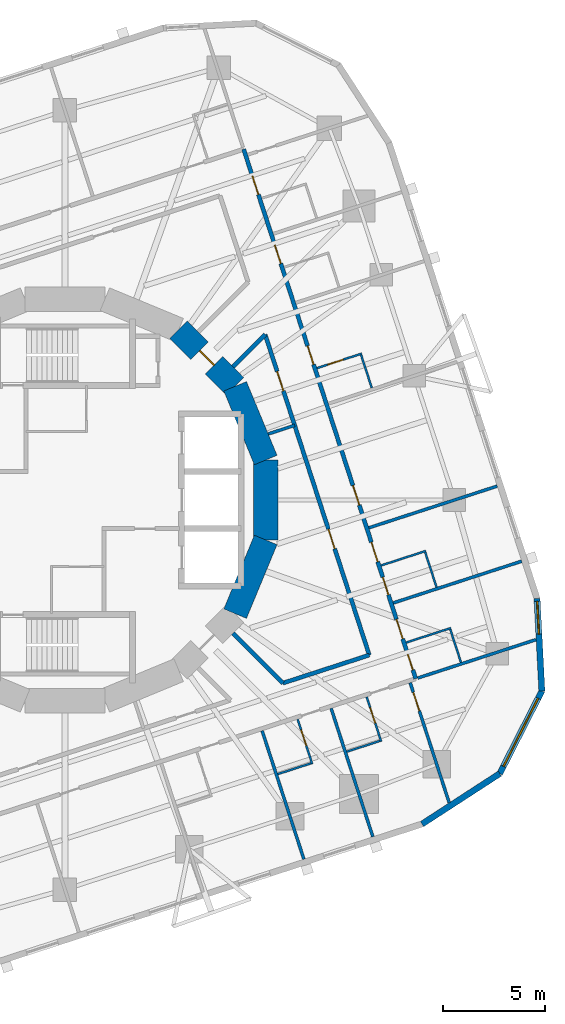
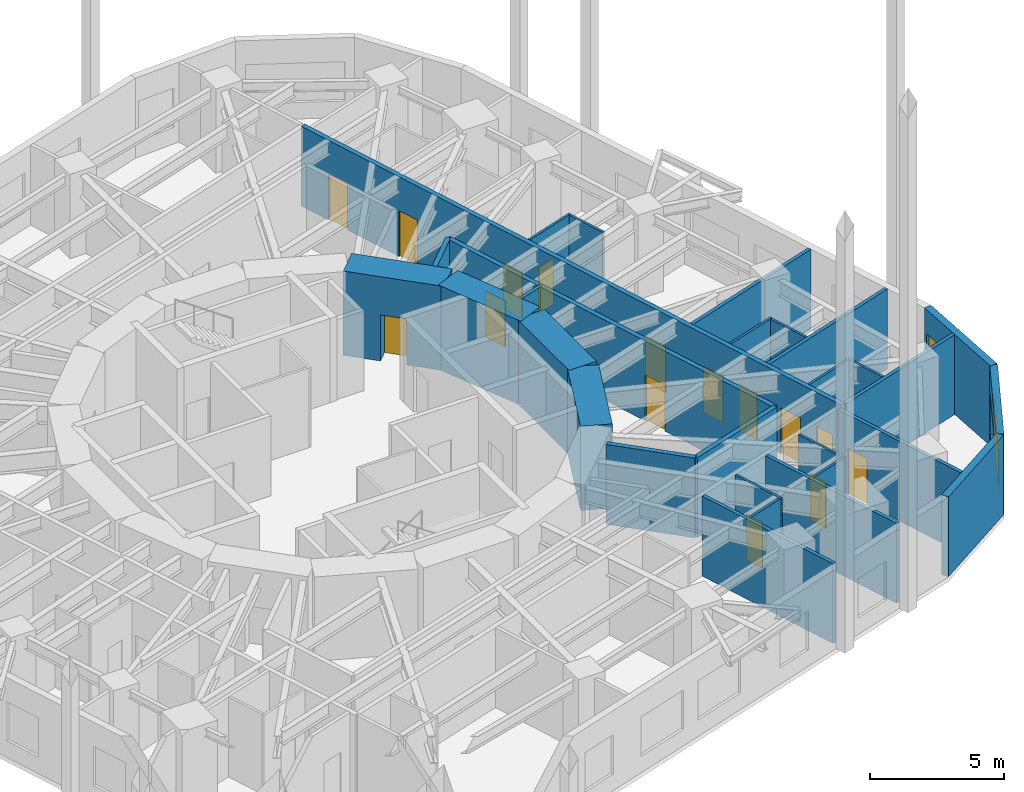
# One storey, part 7 of 10: 29 walls, 15 doors, 2 windows, 17 openings.
"""IFC4 building model written with IfcOpenShell, lengths in metres."""

from ifc_helpers import new_model, si_unit, direction, frame, frame_2d, origin, place, context, subcontext, project, spatial, rectangle, extrude, material, layer, layer_set, type_object, element, fill, save


model = new_model("IFC4")

# Units and contexts
model_context = context("Model", 3, precision=1e-05, world=origin(), true_north=direction((0.0, 1.0)))
body_context = subcontext(model_context, "Body", "Model", "MODEL_VIEW")
ifc_project = project(units=[si_unit("LENGTHUNIT", "METRE"), si_unit("AREAUNIT", "SQUARE_METRE"), si_unit("VOLUMEUNIT", "CUBIC_METRE"), si_unit("PLANEANGLEUNIT", "RADIAN"), si_unit("MASSUNIT", "GRAM", prefix="KILO")], contexts=[model_context])

# Site, building, storey
site_placement = place(None, origin())
site = spatial("IfcSite", under=ifc_project, at=site_placement, CompositionType="ELEMENT")
building_placement = place(site_placement, origin())
building = spatial("IfcBuilding", under=site, at=building_placement, Name="Nakasero Lantern House", CompositionType="ELEMENT")
storey_placement = place(building_placement, frame((0.0, 0.0, 141.800048828125)))
storey = spatial("IfcBuildingStorey", under=building, at=storey_placement, Name="L34", CompositionType="ELEMENT", Elevation=141.800048828125)

# Wall
ifc_material_1 = material(Name="Concrete C50/60", Category="concrete")
ifc_layer_1 = layer(ifc_material_1, 1.199951171875)
ifc_layer_set_1 = layer_set([ifc_layer_1], Name="Core wall 1200")
wall_type_1 = type_object("IfcWallType", Name="Core wall 1200", PredefinedType="SHEAR", material=ifc_layer_set_1)
wall_1_placement = place(storey_placement, frame((9.807861328125, 1.950927734375, 0.0), z_axis=(0.0, 0.0, 1.0), x_axis=(-0.382690736062, 0.923876507187, 0.0)))
element("IfcWall", 1, at=wall_1_placement, inside=storey, type_object=wall_type_1, Name="Core wall L34 facet 1", PredefinedType="SHEAR", context=body_context, shape_type="SweptSolid", body=[
    extrude(rectangle(XDim=3.90185546875, YDim=1.199951171875, at=frame_2d((1.950927734375, 0.0))), origin(), (0.0, 0.0, 1.0), 3.849853515625),
])

# Wall, opening, door
wall_2_placement = place(storey_placement, frame((8.314697265625, 5.5556640625, 0.0), z_axis=(0.0, 0.0, 1.0), x_axis=(-0.707106781187, 0.707106781187, 0.0)))
wall_2 = element("IfcWall", 2, at=wall_2_placement, inside=storey, type_object=wall_type_1, Name="Core wall L34 facet 2", PredefinedType="SHEAR", context=body_context, shape_type="SweptSolid", body=[
    extrude(rectangle(XDim=3.90185546875, YDim=1.199951171875, at=frame_2d((1.950927734375, 0.0))), origin(), (0.0, 0.0, 1.0), 3.849853515625),
])
opening_1_placement = place(wall_2_placement, frame((1.450927734375, 0.0, 0.0)))
opening_1 = element("IfcOpeningElement", 3, at=opening_1_placement, cuts=wall_2, Name="Opening D05", PredefinedType="OPENING", context=body_context, shape_type="SweptSolid", body=[
    extrude(rectangle(XDim=1.0, YDim=2.10009765625, at=frame_2d((0.5, 1.050048828125))), frame((0.0, 0.619873046875, 0.0), z_axis=(0.0, -1.0, 0.0), x_axis=(1.0, 0.0, 0.0)), (0.0, 0.0, 1.0), 1.239990234375),
])
ifc_material_2 = material(Name="Timber C24", Category="wood")
door_type_1 = type_object("IfcDoorType", Name="Core door FD60S 1000", OperationType="SINGLE_SWING_LEFT", PredefinedType="DOOR", material=ifc_material_2)
door_1_placement = place(opening_1_placement, origin())
door_1 = element("IfcDoor", 4, at=door_1_placement, inside=storey, type_object=door_type_1, Name="Door L34 D-CORE02", OperationType="SINGLE_SWING_LEFT", OverallHeight=2.10009765625, OverallWidth=1.0, PredefinedType="DOOR", context=body_context, shape_type="SweptSolid", body=[
    extrude(rectangle(XDim=1.0, YDim=2.10009765625, at=frame_2d((0.5, 1.050048828125))), frame((0.0, 0.02490234375, 0.0), z_axis=(0.0, -1.0, 0.0), x_axis=(1.0, 0.0, 0.0)), (0.0, 0.0, 1.0), 0.050048828125),
])
fill(opening_1, door_1)

# Walls
for number, where, z_axis, x_axis, name in (
    (5, (8.314697265625, -5.5556640625, 0.0), (0.0, 0.0, 1.0), (0.382690736062, 0.923876507187, 0.0), "Core wall L34 facet 15"),
    (6, (9.807861328125, -1.950927734375, 0.0), (0.0, 0.0, 1.0), (0.0, 1.0, 0.0), "Core wall L34 facet 16"),
):
    element("IfcWall", number, at=place(storey_placement, frame(where, z_axis=z_axis, x_axis=x_axis)), inside=storey, type_object=wall_type_1, Name=name, PredefinedType="SHEAR", context=body_context, shape_type="SweptSolid", body=[
        extrude(rectangle(XDim=3.90185546875, YDim=1.199951171875, at=frame_2d((1.950927734375, 0.0))), origin(), (0.0, 0.0, 1.0), 3.849853515625),
    ])

# Wall, openings, doors
ifc_material_3 = material(Name="Blockwork", Category="masonry")
ifc_layer_2 = layer(ifc_material_3, 0.199951171875)
ifc_layer_set_2 = layer_set([ifc_layer_2], Name="Corridor wall 200")
wall_type_2 = type_object("IfcWallType", Name="Corridor wall 200", PredefinedType="PARTITIONING", material=ifc_layer_set_2)
wall_3_placement = place(storey_placement, frame((17.136962890625, -8.731689453125, 0.0), z_axis=(0.0, 0.0, 1.0), x_axis=(-0.309018283835, 0.951056097323, 0.0)))
wall_3 = element("IfcWall", 7, at=wall_3_placement, inside=storey, type_object=wall_type_2, Name="Corridor wall L34 CW0", PredefinedType="PARTITIONING", context=body_context, shape_type="SweptSolid", body=[
    extrude(rectangle(XDim=27.199951171875, YDim=0.199951171875, at=frame_2d((13.60009765625, 0.0))), origin(), (0.0, 0.0, 1.0), 3.64990234375),
])
opening_2_placement = place(wall_3_placement, frame((0.449951171875, 0.0, 0.0)))
opening_2 = element("IfcOpeningElement", 8, at=opening_2_placement, cuts=wall_3, Name="Opening D15", PredefinedType="OPENING", context=body_context, shape_type="SweptSolid", body=[
    extrude(rectangle(XDim=0.800048828125, YDim=2.10009765625, at=frame_2d((0.39990234375, 1.050048828125))), frame((0.0, 0.119873046875, 0.0), z_axis=(0.0, -1.0, 0.0), x_axis=(1.0, 0.0, 0.0)), (0.0, 0.0, 1.0), 0.239990234375),
])
opening_3_placement = place(wall_3_placement, frame((2.050048828125, 0.0, 0.0)))
opening_3 = element("IfcOpeningElement", 9, at=opening_3_placement, cuts=wall_3, Name="Opening D07", PredefinedType="OPENING", context=body_context, shape_type="SweptSolid", body=[
    extrude(rectangle(XDim=1.0, YDim=2.10009765625, at=frame_2d((0.5, 1.050048828125))), frame((0.0, 0.119873046875, 0.0), z_axis=(0.0, -1.0, 0.0), x_axis=(1.0, 0.0, 0.0)), (0.0, 0.0, 1.0), 0.239990234375),
])
opening_4_placement = place(wall_3_placement, frame((4.3095703125, 0.0, 0.0)))
opening_4 = element("IfcOpeningElement", 10, at=opening_4_placement, cuts=wall_3, Name="Opening D16", PredefinedType="OPENING", context=body_context, shape_type="SweptSolid", body=[
    extrude(rectangle(XDim=0.89990234375, YDim=2.10009765625, at=frame_2d((0.449951171875, 1.050048828125))), frame((0.0, 0.119873046875, 0.0), z_axis=(0.0, -1.0, 0.0), x_axis=(1.0, 0.0, 0.0)), (0.0, 0.0, 1.0), 0.239990234375),
])
opening_5_placement = place(wall_3_placement, frame((6.009521484375, 0.0, 0.0)))
opening_5 = element("IfcOpeningElement", 11, at=opening_5_placement, cuts=wall_3, Name="Opening D07", PredefinedType="OPENING", context=body_context, shape_type="SweptSolid", body=[
    extrude(rectangle(XDim=1.0, YDim=2.10009765625, at=frame_2d((0.5, 1.050048828125))), frame((0.0, 0.119873046875, 0.0), z_axis=(0.0, -1.0, 0.0), x_axis=(1.0, 0.0, 0.0)), (0.0, 0.0, 1.0), 0.239990234375),
])
opening_6_placement = place(wall_3_placement, frame((16.14697265625, 0.0, 0.0)))
opening_6 = element("IfcOpeningElement", 12, at=opening_6_placement, cuts=wall_3, Name="Opening D01", PredefinedType="OPENING", context=body_context, shape_type="SweptSolid", body=[
    extrude(rectangle(XDim=0.949951171875, YDim=2.10009765625, at=frame_2d((0.47509765625, 1.050048828125))), frame((0.0, 0.119873046875, 0.0), z_axis=(0.0, -1.0, 0.0), x_axis=(1.0, 0.0, 0.0)), (0.0, 0.0, 1.0), 0.239990234375),
])
opening_7_placement = place(wall_3_placement, frame((21.328125, 0.0, 0.0)))
opening_7 = element("IfcOpeningElement", 13, at=opening_7_placement, cuts=wall_3, Name="Opening D01", PredefinedType="OPENING", context=body_context, shape_type="SweptSolid", body=[
    extrude(rectangle(XDim=0.949951171875, YDim=2.10009765625, at=frame_2d((0.47509765625, 1.050048828125))), frame((0.0, 0.119873046875, 0.0), z_axis=(0.0, -1.0, 0.0), x_axis=(1.0, 0.0, 0.0)), (0.0, 0.0, 1.0), 0.239990234375),
])
opening_8_placement = place(wall_3_placement, frame((24.872314453125, 0.0, 0.0)))
opening_8 = element("IfcOpeningElement", 14, at=opening_8_placement, cuts=wall_3, Name="Opening D01", PredefinedType="OPENING", context=body_context, shape_type="SweptSolid", body=[
    extrude(rectangle(XDim=0.949951171875, YDim=2.10009765625, at=frame_2d((0.47509765625, 1.050048828125))), frame((0.0, 0.119873046875, 0.0), z_axis=(0.0, -1.0, 0.0), x_axis=(1.0, 0.0, 0.0)), (0.0, 0.0, 1.0), 0.239990234375),
])
opening_9_placement = place(wall_3_placement, frame((8.9189453125, 0.0, 0.0)))
opening_9 = element("IfcOpeningElement", 15, at=opening_9_placement, cuts=wall_3, Name="Opening D03", PredefinedType="OPENING", context=body_context, shape_type="SweptSolid", body=[
    extrude(rectangle(XDim=1.0, YDim=2.10009765625, at=frame_2d((0.5, 1.050048828125))), frame((0.0, 0.119873046875, 0.0), z_axis=(0.0, -1.0, 0.0), x_axis=(1.0, 0.0, 0.0)), (0.0, 0.0, 1.0), 0.239990234375),
])
ifc_material_4 = material(Name="Timber C24", Category="wood")
door_type_2 = type_object("IfcDoorType", Name="Accessible WC door 900", OperationType="SINGLE_SWING_RIGHT", PredefinedType="DOOR", material=ifc_material_4)
door_2_placement = place(opening_4_placement, origin())
door_2 = element("IfcDoor", 16, at=door_2_placement, inside=storey, type_object=door_type_2, Name="Door L34 DS0-01", OperationType="SINGLE_SWING_LEFT", OverallHeight=2.10009765625, OverallWidth=0.89990234375, PredefinedType="DOOR", context=body_context, shape_type="SweptSolid", body=[
    extrude(rectangle(XDim=0.89990234375, YDim=2.10009765625, at=frame_2d((0.449951171875, 1.050048828125))), frame((0.0, 0.02490234375, 0.0), z_axis=(0.0, -1.0, 0.0), x_axis=(1.0, 0.0, 0.0)), (0.0, 0.0, 1.0), 0.050048828125),
])
fill(opening_4, door_2)
ifc_material_5 = material(Name="Timber C24", Category="wood")
door_type_3 = type_object("IfcDoorType", Name="Bedroom door FD30S 950", OperationType="SINGLE_SWING_LEFT", PredefinedType="DOOR", material=ifc_material_5)
door_3_placement = place(opening_6_placement, origin())
door_3 = element("IfcDoor", 17, at=door_3_placement, inside=storey, type_object=door_type_3, Name="Door L34 D0-04", OperationType="SINGLE_SWING_RIGHT", OverallHeight=2.10009765625, OverallWidth=0.949951171875, PredefinedType="DOOR", context=body_context, shape_type="SweptSolid", body=[
    extrude(rectangle(XDim=0.949951171875, YDim=2.10009765625, at=frame_2d((0.47509765625, 1.050048828125))), frame((0.0, 0.02490234375, 0.0), z_axis=(0.0, -1.0, 0.0), x_axis=(1.0, 0.0, 0.0)), (0.0, 0.0, 1.0), 0.050048828125),
])
fill(opening_6, door_3)
door_4_placement = place(opening_7_placement, origin())
door_4 = element("IfcDoor", 18, at=door_4_placement, inside=storey, type_object=door_type_3, Name="Door L34 D0-05", OperationType="SINGLE_SWING_RIGHT", OverallHeight=2.10009765625, OverallWidth=0.949951171875, PredefinedType="DOOR", context=body_context, shape_type="SweptSolid", body=[
    extrude(rectangle(XDim=0.949951171875, YDim=2.10009765625, at=frame_2d((0.47509765625, 1.050048828125))), frame((0.0, 0.02490234375, 0.0), z_axis=(0.0, -1.0, 0.0), x_axis=(1.0, 0.0, 0.0)), (0.0, 0.0, 1.0), 0.050048828125),
])
fill(opening_7, door_4)
door_5_placement = place(opening_8_placement, origin())
door_5 = element("IfcDoor", 19, at=door_5_placement, inside=storey, type_object=door_type_3, Name="Door L34 D0-06", OperationType="SINGLE_SWING_RIGHT", OverallHeight=2.10009765625, OverallWidth=0.949951171875, PredefinedType="DOOR", context=body_context, shape_type="SweptSolid", body=[
    extrude(rectangle(XDim=0.949951171875, YDim=2.10009765625, at=frame_2d((0.47509765625, 1.050048828125))), frame((0.0, 0.02490234375, 0.0), z_axis=(0.0, -1.0, 0.0), x_axis=(1.0, 0.0, 0.0)), (0.0, 0.0, 1.0), 0.050048828125),
])
fill(opening_8, door_5)
ifc_material_6 = material(Name="Timber C24", Category="wood")
door_type_4 = type_object("IfcDoorType", Name="Cleaner's store door FD30S 800", OperationType="SINGLE_SWING_LEFT", PredefinedType="DOOR", material=ifc_material_6)
door_6_placement = place(opening_2_placement, origin())
door_6 = element("IfcDoor", 20, at=door_6_placement, inside=storey, type_object=door_type_4, Name="Door L34 DS0-00", OperationType="SINGLE_SWING_LEFT", OverallHeight=2.10009765625, OverallWidth=0.800048828125, PredefinedType="DOOR", context=body_context, shape_type="SweptSolid", body=[
    extrude(rectangle(XDim=0.800048828125, YDim=2.10009765625, at=frame_2d((0.39990234375, 1.050048828125))), frame((0.0, 0.02490234375, 0.0), z_axis=(0.0, -1.0, 0.0), x_axis=(1.0, 0.0, 0.0)), (0.0, 0.0, 1.0), 0.050048828125),
])
fill(opening_2, door_6)
ifc_material_7 = material(Name="Timber C24", Category="wood")
door_type_5 = type_object("IfcDoorType", Name="Lounge door FD30S 1000", OperationType="SINGLE_SWING_LEFT", PredefinedType="DOOR", material=ifc_material_7)
door_7_placement = place(opening_9_placement, origin())
door_7 = element("IfcDoor", 21, at=door_7_placement, inside=storey, type_object=door_type_5, Name="Door L34 DK0", OperationType="SINGLE_SWING_LEFT", OverallHeight=2.10009765625, OverallWidth=1.0, PredefinedType="DOOR", context=body_context, shape_type="SweptSolid", body=[
    extrude(rectangle(XDim=1.0, YDim=2.10009765625, at=frame_2d((0.5, 1.050048828125))), frame((0.0, 0.02490234375, 0.0), z_axis=(0.0, -1.0, 0.0), x_axis=(1.0, 0.0, 0.0)), (0.0, 0.0, 1.0), 0.050048828125),
])
fill(opening_9, door_7)
ifc_material_8 = material(Name="Timber C24", Category="wood")
door_type_6 = type_object("IfcDoorType", Name="Room door FD30S 1000", OperationType="SINGLE_SWING_LEFT", PredefinedType="DOOR", material=ifc_material_8)
door_8_placement = place(opening_3_placement, origin())
door_8 = element("IfcDoor", 22, at=door_8_placement, inside=storey, type_object=door_type_6, Name="Door L34 D0-00", OperationType="SINGLE_SWING_LEFT", OverallHeight=2.10009765625, OverallWidth=1.0, PredefinedType="DOOR", context=body_context, shape_type="SweptSolid", body=[
    extrude(rectangle(XDim=1.0, YDim=2.10009765625, at=frame_2d((0.5, 1.050048828125))), frame((0.0, 0.02490234375, 0.0), z_axis=(0.0, -1.0, 0.0), x_axis=(1.0, 0.0, 0.0)), (0.0, 0.0, 1.0), 0.050048828125),
])
fill(opening_3, door_8)
door_9_placement = place(opening_5_placement, origin())
door_9 = element("IfcDoor", 23, at=door_9_placement, inside=storey, type_object=door_type_6, Name="Door L34 D0-01", OperationType="SINGLE_SWING_LEFT", OverallHeight=2.10009765625, OverallWidth=1.0, PredefinedType="DOOR", context=body_context, shape_type="SweptSolid", body=[
    extrude(rectangle(XDim=1.0, YDim=2.10009765625, at=frame_2d((0.5, 1.050048828125))), frame((0.0, 0.02490234375, 0.0), z_axis=(0.0, -1.0, 0.0), x_axis=(1.0, 0.0, 0.0)), (0.0, 0.0, 1.0), 0.050048828125),
])
fill(opening_5, door_9)

wall_4_placement = place(storey_placement, frame((14.868896484375, -7.576171875, 0.0), z_axis=(0.0, 0.0, 1.0), x_axis=(-0.309012648104, 0.951057928473, 0.0)))
wall_4 = element("IfcWall", 24, at=wall_4_placement, inside=storey, type_object=wall_type_2, Name="Corridor wall L34 IW0-0", PredefinedType="PARTITIONING", context=body_context, shape_type="SweptSolid", body=[
    extrude(rectangle(XDim=16.4658203125, YDim=0.199951171875, at=frame_2d((8.23291015625, 0.0))), origin(), (0.0, 0.0, 1.0), 3.64990234375),
])
opening_10_placement = place(wall_4_placement, frame((5.46240234375, 0.0, 0.0)))
opening_10 = element("IfcOpeningElement", 25, at=opening_10_placement, cuts=wall_4, Name="Opening D07", PredefinedType="OPENING", context=body_context, shape_type="SweptSolid", body=[
    extrude(rectangle(XDim=1.0, YDim=2.10009765625, at=frame_2d((0.5, 1.050048828125))), frame((0.0, 0.119873046875, 0.0), z_axis=(0.0, -1.0, 0.0), x_axis=(1.0, 0.0, 0.0)), (0.0, 0.0, 1.0), 0.239990234375),
])
opening_11_placement = place(wall_4_placement, frame((13.5703125, 0.0, 0.0)))
opening_11 = element("IfcOpeningElement", 26, at=opening_11_placement, cuts=wall_4, Name="Opening D07", PredefinedType="OPENING", context=body_context, shape_type="SweptSolid", body=[
    extrude(rectangle(XDim=1.0, YDim=2.10009765625, at=frame_2d((0.5, 1.050048828125))), frame((0.0, 0.119873046875, 0.0), z_axis=(0.0, -1.0, 0.0), x_axis=(1.0, 0.0, 0.0)), (0.0, 0.0, 1.0), 0.239990234375),
])
door_10_placement = place(opening_10_placement, origin())
door_10 = element("IfcDoor", 27, at=door_10_placement, inside=storey, type_object=door_type_6, Name="Door L34 DI4", OperationType="SINGLE_SWING_LEFT", OverallHeight=2.10009765625, OverallWidth=1.0, PredefinedType="DOOR", context=body_context, shape_type="SweptSolid", body=[
    extrude(rectangle(XDim=1.0, YDim=2.10009765625, at=frame_2d((0.5, 1.050048828125))), frame((0.0, 0.02490234375, 0.0), z_axis=(0.0, -1.0, 0.0), x_axis=(1.0, 0.0, 0.0)), (0.0, 0.0, 1.0), 0.050048828125),
])
fill(opening_10, door_10)
door_11_placement = place(opening_11_placement, origin())
door_11 = element("IfcDoor", 28, at=door_11_placement, inside=storey, type_object=door_type_6, Name="Door L34 DI5", OperationType="SINGLE_SWING_RIGHT", OverallHeight=2.10009765625, OverallWidth=1.0, PredefinedType="DOOR", context=body_context, shape_type="SweptSolid", body=[
    extrude(rectangle(XDim=1.0, YDim=2.10009765625, at=frame_2d((0.5, 1.050048828125))), frame((0.0, 0.02490234375, 0.0), z_axis=(0.0, -1.0, 0.0), x_axis=(1.0, 0.0, 0.0)), (0.0, 0.0, 1.0), 0.050048828125),
])
fill(opening_11, door_11)

# Walls
wall_5_placement = place(storey_placement, frame((10.6455078125, -8.9482421875, 0.0), z_axis=(0.0, 0.0, 1.0), x_axis=(0.951069212627, 0.308977916351, 0.0)))
element("IfcWall", 29, at=wall_5_placement, inside=storey, type_object=wall_type_2, Name="Corridor wall L34 IW3-1", PredefinedType="PARTITIONING", context=body_context, shape_type="SweptSolid", body=[
    extrude(rectangle(XDim=4.440673828125, YDim=0.199951171875, at=frame_2d((2.22021484375, 0.0))), origin(), (0.0, 0.0, 1.0), 3.64990234375),
])
wall_6_placement = place(storey_placement, frame((8.2080078125, 6.510986328125, 0.0), z_axis=(0.0, 0.0, 1.0), x_axis=(0.707106781187, 0.707106781187, 0.0)))
element("IfcWall", 30, at=wall_6_placement, inside=storey, type_object=wall_type_2, Name="Corridor wall L34 PS02b", PredefinedType="PARTITIONING", context=body_context, shape_type="SweptSolid", body=[
    extrude(rectangle(XDim=2.22412109375, YDim=0.199951171875, at=frame_2d((1.112060546875, 0.0))), origin(), (0.0, 0.0, 1.0), 3.64990234375),
])
wall_7_placement = place(storey_placement, frame((8.2080078125, -6.510986328125, 0.0), z_axis=(0.0, 0.0, 1.0), x_axis=(0.707142194071, -0.707071366528, 0.0)))
element("IfcWall", 31, at=wall_7_placement, inside=storey, type_object=wall_type_2, Name="Corridor wall L34 PS14a", PredefinedType="PARTITIONING", context=body_context, shape_type="SweptSolid", body=[
    extrude(rectangle(XDim=3.447021484375, YDim=0.199951171875, at=frame_2d((1.7236328125, 0.0))), origin(), (0.0, 0.0, 1.0), 3.64990234375),
])
ifc_material_9 = material(Name="Blockwork", Category="masonry")
ifc_layer_3 = layer(ifc_material_9, 0.10009765625)
ifc_layer_set_3 = layer_set([ifc_layer_3], Name="En-suite wall 100")
wall_type_3 = type_object("IfcWallType", Name="En-suite wall 100", PredefinedType="PARTITIONING", material=ifc_layer_set_3)
wall_8_placement = place(storey_placement, frame((16.668212890625, -6.965087890625, 0.0), z_axis=(0.0, 0.0, 1.0), x_axis=(0.951055129775, 0.309021261611, 0.0)))
element("IfcWall", 32, at=wall_8_placement, inside=storey, type_object=wall_type_3, Name="En-suite wall L34 ES0-00", PredefinedType="PARTITIONING", context=body_context, shape_type="SweptSolid", body=[
    extrude(rectangle(XDim=2.2998046875, YDim=0.10009765625, at=frame_2d((1.14990234375, 0.0))), origin(), (0.0, 0.0, 1.0), 3.64990234375),
])
wall_9_placement = place(storey_placement, frame((19.348876953125, -7.934326171875, 0.0), z_axis=(0.0, 0.0, 1.0), x_axis=(-0.309024378638, 0.951054116971, 0.0)))
element("IfcWall", 33, at=wall_9_placement, inside=storey, type_object=wall_type_3, Name="En-suite wall L34 EE0-00", PredefinedType="PARTITIONING", context=body_context, shape_type="SweptSolid", body=[
    extrude(rectangle(XDim=1.7001953125, YDim=0.10009765625, at=frame_2d((0.85009765625, 0.0))), origin(), (0.0, 0.0, 1.0), 3.64990234375),
])
wall_10_placement = place(storey_placement, frame((15.444580078125, -3.199462890625, 0.0), z_axis=(0.0, 0.0, 1.0), x_axis=(0.951065265554, 0.308990065628, 0.0)))
element("IfcWall", 34, at=wall_10_placement, inside=storey, type_object=wall_type_3, Name="En-suite wall L34 ES0-01", PredefinedType="PARTITIONING", context=body_context, shape_type="SweptSolid", body=[
    extrude(rectangle(XDim=2.300048828125, YDim=0.10009765625, at=frame_2d((1.14990234375, 0.0))), origin(), (0.0, 0.0, 1.0), 3.64990234375),
])
wall_11_placement = place(storey_placement, frame((18.15625, -4.263671875, 0.0), z_axis=(0.0, 0.0, 1.0), x_axis=(-0.309098339485, 0.951030081821, 0.0)))
element("IfcWall", 35, at=wall_11_placement, inside=storey, type_object=wall_type_3, Name="En-suite wall L34 EE0-01", PredefinedType="PARTITIONING", context=body_context, shape_type="SweptSolid", body=[
    extrude(rectangle(XDim=1.800048828125, YDim=0.10009765625, at=frame_2d((0.89990234375, 0.0))), origin(), (0.0, 0.0, 1.0), 3.64990234375),
])

# Wall, opening, door
wall_12_placement = place(storey_placement, frame((12.31201171875, 6.44189453125, 0.0), z_axis=(0.0, 0.0, 1.0), x_axis=(0.951055129775, 0.309021261611, 0.0)))
wall_12 = element("IfcWall", 36, at=wall_12_placement, inside=storey, type_object=wall_type_3, Name="En-suite wall L34 ES0-04", PredefinedType="PARTITIONING", context=body_context, shape_type="SweptSolid", body=[
    extrude(rectangle(XDim=2.2998046875, YDim=0.10009765625, at=frame_2d((1.14990234375, 0.0))), origin(), (0.0, 0.0, 1.0), 3.64990234375),
])
opening_12_placement = place(wall_12_placement, frame((0.550048828125, 0.0, 0.0)))
opening_12 = element("IfcOpeningElement", 37, at=opening_12_placement, cuts=wall_12, Name="Opening D02", PredefinedType="OPENING", context=body_context, shape_type="SweptSolid", body=[
    extrude(rectangle(XDim=0.800048828125, YDim=2.10009765625, at=frame_2d((0.39990234375, 1.050048828125))), frame((0.0, 0.070068359375, 0.0), z_axis=(0.0, -1.0, 0.0), x_axis=(1.0, 0.0, 0.0)), (0.0, 0.0, 1.0), 0.14013671875),
])
ifc_material_10 = material(Name="Timber C24", Category="wood")
door_type_7 = type_object("IfcDoorType", Name="En-suite door 800", OperationType="SINGLE_SWING_RIGHT", PredefinedType="DOOR", material=ifc_material_10)
door_12_placement = place(opening_12_placement, origin())
door_12 = element("IfcDoor", 38, at=door_12_placement, inside=storey, type_object=door_type_7, Name="Door L34 DE0-04", OperationType="SINGLE_SWING_LEFT", OverallHeight=2.10009765625, OverallWidth=0.800048828125, PredefinedType="DOOR", context=body_context, shape_type="SweptSolid", body=[
    extrude(rectangle(XDim=0.800048828125, YDim=2.10009765625, at=frame_2d((0.39990234375, 1.050048828125))), frame((0.0, 0.02490234375, 0.0), z_axis=(0.0, -1.0, 0.0), x_axis=(1.0, 0.0, 0.0)), (0.0, 0.0, 1.0), 0.050048828125),
])
fill(opening_12, door_12)

# Wall
wall_13_placement = place(storey_placement, frame((14.99267578125, 5.472900390625, 0.0), z_axis=(0.0, 0.0, 1.0), x_axis=(-0.309066587596, 0.951040401051, 0.0)))
element("IfcWall", 39, at=wall_13_placement, inside=storey, type_object=wall_type_3, Name="En-suite wall L34 EE0-04", PredefinedType="PARTITIONING", context=body_context, shape_type="SweptSolid", body=[
    extrude(rectangle(XDim=1.699951171875, YDim=0.10009765625, at=frame_2d((0.85009765625, 0.0))), origin(), (0.0, 0.0, 1.0), 3.64990234375),
])

# Wall, opening, door
wall_14_placement = place(storey_placement, frame((11.369384765625, -10.7109375, 0.0), z_axis=(0.0, 0.0, 1.0), x_axis=(0.309021261611, -0.951055129775, 0.0)))
wall_14 = element("IfcWall", 40, at=wall_14_placement, inside=storey, type_object=wall_type_3, Name="En-suite wall L34 ES3-05", PredefinedType="PARTITIONING", context=body_context, shape_type="SweptSolid", body=[
    extrude(rectangle(XDim=2.2998046875, YDim=0.10009765625, at=frame_2d((1.14990234375, 0.0))), origin(), (0.0, 0.0, 1.0), 3.64990234375),
])
opening_13_placement = place(wall_14_placement, frame((0.550048828125, 0.0, 0.0)))
opening_13 = element("IfcOpeningElement", 41, at=opening_13_placement, cuts=wall_14, Name="Opening D02", PredefinedType="OPENING", context=body_context, shape_type="SweptSolid", body=[
    extrude(rectangle(XDim=0.800048828125, YDim=2.10009765625, at=frame_2d((0.39990234375, 1.050048828125))), frame((0.0, 0.070068359375, 0.0), z_axis=(0.0, -1.0, 0.0), x_axis=(1.0, 0.0, 0.0)), (0.0, 0.0, 1.0), 0.14013671875),
])
door_13_placement = place(opening_13_placement, origin())
door_13 = element("IfcDoor", 42, at=door_13_placement, inside=storey, type_object=door_type_7, Name="Door L34 DE3-05", OperationType="SINGLE_SWING_LEFT", OverallHeight=2.10009765625, OverallWidth=0.800048828125, PredefinedType="DOOR", context=body_context, shape_type="SweptSolid", body=[
    extrude(rectangle(XDim=0.800048828125, YDim=2.10009765625, at=frame_2d((0.39990234375, 1.050048828125))), frame((0.0, 0.02490234375, 0.0), z_axis=(0.0, -1.0, 0.0), x_axis=(1.0, 0.0, 0.0)), (0.0, 0.0, 1.0), 0.050048828125),
])
fill(opening_13, door_13)

# Wall
wall_15_placement = place(storey_placement, frame((10.400390625, -13.3916015625, 0.0), z_axis=(0.0, 0.0, 1.0), x_axis=(0.951040401051, 0.309066587596, 0.0)))
element("IfcWall", 43, at=wall_15_placement, inside=storey, type_object=wall_type_3, Name="En-suite wall L34 EE3-05", PredefinedType="PARTITIONING", context=body_context, shape_type="SweptSolid", body=[
    extrude(rectangle(XDim=1.699951171875, YDim=0.10009765625, at=frame_2d((0.85009765625, 0.0))), origin(), (0.0, 0.0, 1.0), 3.64990234375),
])

# Wall, opening, door
wall_16_placement = place(storey_placement, frame((14.740234375, -9.61572265625, 0.0), z_axis=(0.0, 0.0, 1.0), x_axis=(0.309021261611, -0.951055129775, 0.0)))
wall_16 = element("IfcWall", 44, at=wall_16_placement, inside=storey, type_object=wall_type_3, Name="En-suite wall L34 ES3-06", PredefinedType="PARTITIONING", context=body_context, shape_type="SweptSolid", body=[
    extrude(rectangle(XDim=2.2998046875, YDim=0.10009765625, at=frame_2d((1.14990234375, 0.0))), origin(), (0.0, 0.0, 1.0), 3.64990234375),
])
opening_14_placement = place(wall_16_placement, frame((0.550048828125, 0.0, 0.0)))
opening_14 = element("IfcOpeningElement", 45, at=opening_14_placement, cuts=wall_16, Name="Opening D02", PredefinedType="OPENING", context=body_context, shape_type="SweptSolid", body=[
    extrude(rectangle(XDim=0.800048828125, YDim=2.10009765625, at=frame_2d((0.39990234375, 1.050048828125))), frame((0.0, 0.070068359375, 0.0), z_axis=(0.0, -1.0, 0.0), x_axis=(1.0, 0.0, 0.0)), (0.0, 0.0, 1.0), 0.14013671875),
])
door_14_placement = place(opening_14_placement, origin())
door_14 = element("IfcDoor", 46, at=door_14_placement, inside=storey, type_object=door_type_7, Name="Door L34 DE3-06", OperationType="SINGLE_SWING_LEFT", OverallHeight=2.10009765625, OverallWidth=0.800048828125, PredefinedType="DOOR", context=body_context, shape_type="SweptSolid", body=[
    extrude(rectangle(XDim=0.800048828125, YDim=2.10009765625, at=frame_2d((0.39990234375, 1.050048828125))), frame((0.0, 0.02490234375, 0.0), z_axis=(0.0, -1.0, 0.0), x_axis=(1.0, 0.0, 0.0)), (0.0, 0.0, 1.0), 0.050048828125),
])
fill(opening_14, door_14)

# Walls
wall_17_placement = place(storey_placement, frame((13.771240234375, -12.29638671875, 0.0), z_axis=(0.0, 0.0, 1.0), x_axis=(0.951040401051, 0.309066587596, 0.0)))
element("IfcWall", 47, at=wall_17_placement, inside=storey, type_object=wall_type_3, Name="En-suite wall L34 EE3-06", PredefinedType="PARTITIONING", context=body_context, shape_type="SweptSolid", body=[
    extrude(rectangle(XDim=1.699951171875, YDim=0.10009765625, at=frame_2d((0.85009765625, 0.0))), origin(), (0.0, 0.0, 1.0), 3.64990234375),
])
ifc_material_11 = material(Name="Aluminium rainscreen on blockwork", Category="masonry")
ifc_layer_4 = layer(ifc_material_11, 0.300048828125)
ifc_layer_set_4 = layer_set([ifc_layer_4], Name="Facade wall 300")
wall_type_4 = type_object("IfcWallType", Name="Facade wall 300", PredefinedType="SOLIDWALL", material=ifc_layer_set_4)
wall_18_placement = place(storey_placement, frame((17.44677734375, -15.83349609375, 0.0), z_axis=(0.0, 0.0, 1.0), x_axis=(0.838673836229, 0.544634002266, 0.0)))
element("IfcWall", 48, at=wall_18_placement, inside=storey, type_object=wall_type_4, Name="Facade wall L34 FW3C1", PredefinedType="SOLIDWALL", context=body_context, shape_type="SweptSolid", body=[
    extrude(rectangle(XDim=4.529296875, YDim=0.300048828125, at=frame_2d((2.2646484375, 0.0))), origin(), (0.0, 0.0, 1.0), 3.64990234375),
])

# Wall, opening, window
wall_19_placement = place(storey_placement, frame((21.245361328125, -13.36669921875, 0.0), z_axis=(0.0, 0.0, 1.0), x_axis=(0.454013792196, 0.890994655705, 0.0)))
wall_19 = element("IfcWall", 49, at=wall_19_placement, inside=storey, type_object=wall_type_4, Name="Facade wall L34 FW3C2", PredefinedType="SOLIDWALL", context=body_context, shape_type="SweptSolid", body=[
    extrude(rectangle(XDim=4.529296875, YDim=0.300048828125, at=frame_2d((2.2646484375, 0.0))), origin(), (0.0, 0.0, 1.0), 3.64990234375),
])
opening_15_placement = place(wall_19_placement, frame((0.39990234375, 0.0, 0.75)))
opening_15 = element("IfcOpeningElement", 50, at=opening_15_placement, cuts=wall_19, Name="Opening W237A", PredefinedType="OPENING", context=body_context, shape_type="SweptSolid", body=[
    extrude(rectangle(XDim=3.72900390625, YDim=1.800048828125, at=frame_2d((1.864501953125, 0.89990234375))), frame((0.0, 0.169921875, 0.0), z_axis=(0.0, -1.0, 0.0), x_axis=(1.0, 0.0, 0.0)), (0.0, 0.0, 1.0), 0.340087890625),
])
ifc_material_12 = material(Name="Aluminium 6063-T6 and glass", Category="aluminium")
window_type_1 = type_object("IfcWindowType", Name="Corner window 3729x1800", PartitioningType="SINGLE_PANEL", PredefinedType="WINDOW", material=ifc_material_12)
window_1_placement = place(opening_15_placement, origin())
window_1 = element("IfcWindow", 51, at=window_1_placement, inside=storey, type_object=window_type_1, Name="Window L34 WC3", OverallHeight=1.800048828125, OverallWidth=3.72900390625, PartitioningType="SINGLE_PANEL", PredefinedType="WINDOW", context=body_context, shape_type="SweptSolid", body=[
    extrude(rectangle(XDim=3.72900390625, YDim=1.800048828125, at=frame_2d((1.864501953125, 0.89990234375))), frame((0.0, 0.030029296875, 0.0), z_axis=(0.0, -1.0, 0.0), x_axis=(1.0, 0.0, 0.0)), (0.0, 0.0, 1.0), 0.06005859375),
])
fill(opening_15, window_1)

wall_20_placement = place(storey_placement, frame((23.3017578125, -9.3310546875, 0.0), z_axis=(0.0, 0.0, 1.0), x_axis=(-0.052338164079, 0.998629419044, 0.0)))
wall_20 = element("IfcWall", 52, at=wall_20_placement, inside=storey, type_object=wall_type_4, Name="Facade wall L34 FW3C3", PredefinedType="SOLIDWALL", context=body_context, shape_type="SweptSolid", body=[
    extrude(rectangle(XDim=4.529296875, YDim=0.300048828125, at=frame_2d((2.2646484375, 0.0))), origin(), (0.0, 0.0, 1.0), 3.64990234375),
])
opening_16_placement = place(wall_20_placement, frame((2.784912109375, 0.0, 0.75)))
opening_16 = element("IfcOpeningElement", 53, at=opening_16_placement, cuts=wall_20, Name="Opening W01", PredefinedType="OPENING", context=body_context, shape_type="SweptSolid", body=[
    extrude(rectangle(XDim=1.60009765625, YDim=1.800048828125, at=frame_2d((0.800048828125, 0.89990234375))), frame((0.0, 0.169921875, 0.0), z_axis=(0.0, -1.0, 0.0), x_axis=(1.0, 0.0, 0.0)), (0.0, 0.0, 1.0), 0.340087890625),
])
ifc_material_13 = material(Name="Aluminium 6063-T6 and glass", Category="aluminium")
window_type_2 = type_object("IfcWindowType", Name="Bedroom window 1600x1800", PartitioningType="SINGLE_PANEL", PredefinedType="WINDOW", material=ifc_material_13)
window_2_placement = place(opening_16_placement, origin())
window_2 = element("IfcWindow", 54, at=window_2_placement, inside=storey, type_object=window_type_2, Name="Window L34 WN0-00", OverallHeight=1.800048828125, OverallWidth=1.60009765625, PartitioningType="SINGLE_PANEL", PredefinedType="WINDOW", context=body_context, shape_type="SweptSolid", body=[
    extrude(rectangle(XDim=1.60009765625, YDim=1.800048828125, at=frame_2d((0.800048828125, 0.89990234375))), frame((0.0, 0.030029296875, 0.0), z_axis=(0.0, -1.0, 0.0), x_axis=(1.0, 0.0, 0.0)), (0.0, 0.0, 1.0), 0.06005859375),
])
fill(opening_16, window_2)

# Walls
ifc_material_14 = material(Name="Blockwork", Category="masonry")
ifc_layer_5 = layer(ifc_material_14, 0.14990234375)
ifc_layer_set_5 = layer_set([ifc_layer_5], Name="Party wall 150")
wall_type_5 = type_object("IfcWallType", Name="Party wall 150", PredefinedType="PARTITIONING", material=ifc_layer_set_5)
wall_21_placement = place(storey_placement, frame((17.232177734375, -8.700927734375, 0.0), z_axis=(0.0, 0.0, 1.0), x_axis=(0.951057081836, 0.309015253813, 0.0)))
element("IfcWall", 55, at=wall_21_placement, inside=storey, type_object=wall_type_5, Name="Party wall L34 PW0-00", PredefinedType="PARTITIONING", context=body_context, shape_type="SweptSolid", body=[
    extrude(rectangle(XDim=6.080322265625, YDim=0.14990234375, at=frame_2d((3.0400390625, 0.0))), origin(), (0.0, 0.0, 1.0), 3.64990234375),
])
for number, where, z_axis, x_axis, name in (
    (56, (16.03955078125, -5.0302734375, 0.0), (0.0, 0.0, 1.0), (0.951053095941, 0.309027520945, 0.0), "Party wall L34 PW0-01"),
    (57, (14.846923828125, -1.359619140625, 0.0), (0.0, 0.0, 1.0), (0.951053095941, 0.309027520945, 0.0), "Party wall L34 PW0-02"),
    (58, (9.6337890625, -11.27490234375, 0.0), (0.0, 0.0, 1.0), (0.309027520945, -0.951053095941, 0.0), "Party wall L34 PW3-05"),
    (59, (13.004638671875, -10.1796875, 0.0), (0.0, 0.0, 1.0), (0.309027520945, -0.951053095941, 0.0), "Party wall L34 PW3-06"),
):
    element("IfcWall", number, at=place(storey_placement, frame(where, z_axis=z_axis, x_axis=x_axis)), inside=storey, type_object=wall_type_5, Name=name, PredefinedType="PARTITIONING", context=body_context, shape_type="SweptSolid", body=[
        extrude(rectangle(XDim=6.599853515625, YDim=0.14990234375, at=frame_2d((3.2998046875, 0.0))), origin(), (0.0, 0.0, 1.0), 3.64990234375),
    ])

# Wall, opening, door
wall_22_placement = place(storey_placement, frame((16.8662109375, -8.9248046875, 0.0), z_axis=(0.0, 0.0, 1.0), x_axis=(0.309031452366, -0.951051818488, 0.0)))
wall_22 = element("IfcWall", 60, at=wall_22_placement, inside=storey, type_object=wall_type_5, Name="Party wall L34 PC3", PredefinedType="PARTITIONING", context=body_context, shape_type="SweptSolid", body=[
    extrude(rectangle(XDim=6.165283203125, YDim=0.14990234375, at=frame_2d((3.08251953125, 0.0))), origin(), (0.0, 0.0, 1.0), 3.64990234375),
])
opening_17_placement = place(wall_22_placement, frame((0.5, 0.0, 0.0)))
opening_17 = element("IfcOpeningElement", 61, at=opening_17_placement, cuts=wall_22, Name="Opening D01", PredefinedType="OPENING", context=body_context, shape_type="SweptSolid", body=[
    extrude(rectangle(XDim=0.949951171875, YDim=2.10009765625, at=frame_2d((0.47509765625, 1.050048828125))), frame((0.0, 0.094970703125, 0.0), z_axis=(0.0, -1.0, 0.0), x_axis=(1.0, 0.0, 0.0)), (0.0, 0.0, 1.0), 0.18994140625),
])
door_15_placement = place(opening_17_placement, origin())
door_15 = element("IfcDoor", 62, at=door_15_placement, inside=storey, type_object=door_type_3, Name="Door L34 DC3", OperationType="SINGLE_SWING_LEFT", OverallHeight=2.10009765625, OverallWidth=0.949951171875, PredefinedType="DOOR", context=body_context, shape_type="SweptSolid", body=[
    extrude(rectangle(XDim=0.949951171875, YDim=2.10009765625, at=frame_2d((0.47509765625, 1.050048828125))), frame((0.0, 0.02490234375, 0.0), z_axis=(0.0, -1.0, 0.0), x_axis=(1.0, 0.0, 0.0)), (0.0, 0.0, 1.0), 0.050048828125),
])
fill(opening_17, door_15)

# Wall
wall_23_placement = place(storey_placement, frame((11.222412109375, 3.646484375, 0.0), z_axis=(0.0, 0.0, 1.0), x_axis=(-0.951026153486, -0.309110425878, 0.0)))
element("IfcWall", 63, at=wall_23_placement, inside=storey, type_object=wall_type_5, Name="Party wall L34 IM0", PredefinedType="PARTITIONING", context=body_context, shape_type="SweptSolid", body=[
    extrude(rectangle(XDim=1.360107421875, YDim=0.14990234375, at=frame_2d((0.68017578125, 0.0))), origin(), (0.0, 0.0, 1.0), 3.64990234375),
])

save(model, "model.ifc")
